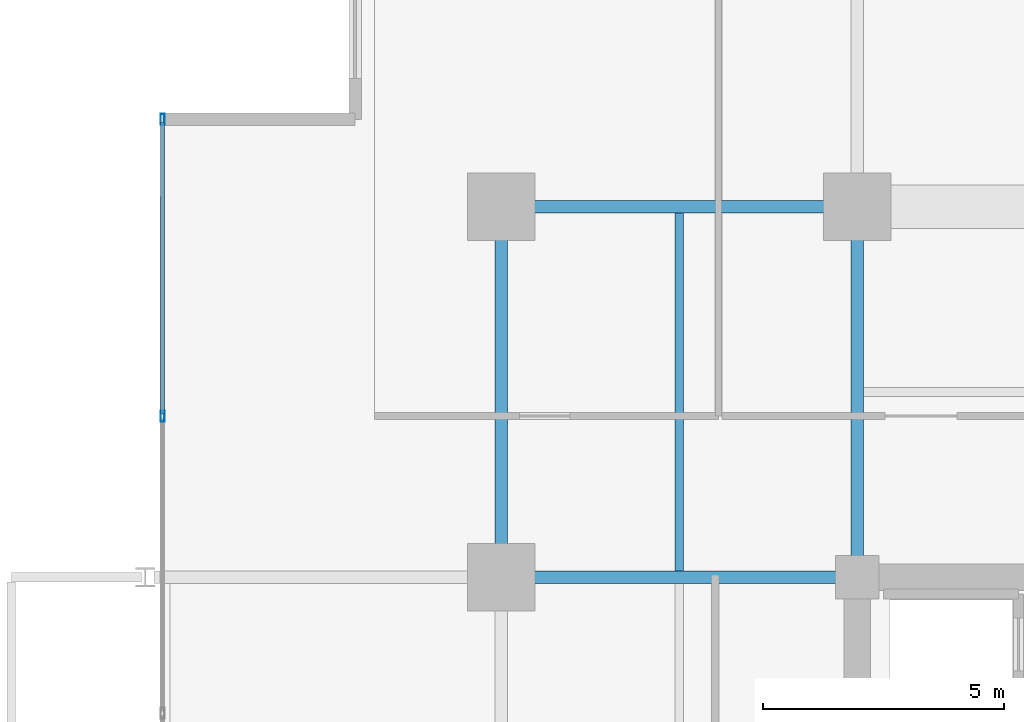
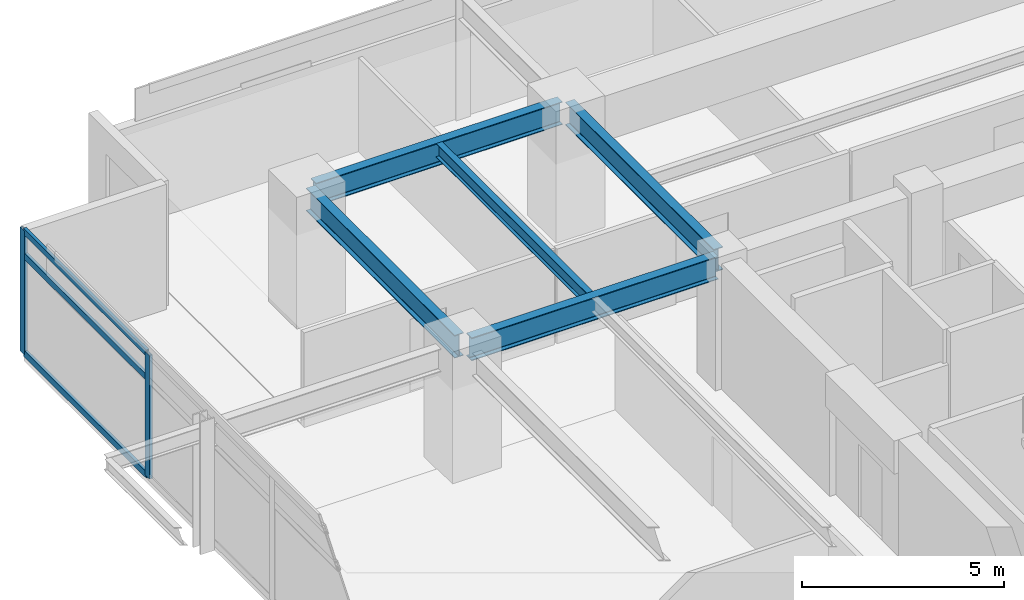
# One storey, part 12 of 21: 5 beams, 5 members, 1 element without a shape of its own.
"""IFC4 building model written with IfcOpenShell, lengths in metres."""

import ifcopenshell
import ifcopenshell.guid

model = None  # the IFC model being written
_history = None  # IfcOwnerHistory: only IFC2X3 demands one
_inside = {}  # id of a spatial element -> (the spatial element, [elements in it])
_under = {}  # id of a project, library or spatial element -> (it, [spatial elements below it])
_declared = {}  # id of a project -> (the project, [libraries it declares])
_typed = {}  # id of a type object -> (the type object, [elements of that type])
_made_of = {}  # id of a material, layer set ... -> (it, [elements and type objects made of it])


def new_model(schema):
    """Start an empty IFC model of exactly this schema.

    Asked for "IFC4X3", IfcOpenShell would pick the latest addendum, in which some entities
    have other attributes; the version numbers below select the first issue.
    IFC2X3 requires an IfcOwnerHistory on every rooted entity: one is made here for all.
    """
    global model, _history
    if schema == "IFC4X3":
        model = ifcopenshell.file(schema_version=(4, 3, 0, 0))
    else:
        model = ifcopenshell.file(schema=schema)
    _inside.clear()
    _under.clear()
    _declared.clear()
    _typed.clear()
    _made_of.clear()
    _history = None
    if model.schema == "IFC2X3":
        org = make("IfcOrganization", Name="unknown")
        user = make(
            "IfcPersonAndOrganization",
            ThePerson=make("IfcPerson", FamilyName="unknown"),
            TheOrganization=org,
        )
        app = make(
            "IfcApplication",
            ApplicationDeveloper=org,
            Version="unknown",
            ApplicationFullName="unknown",
            ApplicationIdentifier="unknown",
        )
        _history = make(
            "IfcOwnerHistory",
            OwningUser=user,
            OwningApplication=app,
            ChangeAction="ADDED",
            CreationDate=0,
        )
    return model


def make(cls, **values):
    """One entity of the class cls with the attributes given. An attribute that is None is left unset."""
    return model.create_entity(
        cls, **{name: value for name, value in values.items() if value is not None}
    )


def rooted(cls, **values):
    """An entity with a GlobalId (a new one), such as an element, a storey or a relation."""
    return make(cls, GlobalId=ifcopenshell.guid.new(), OwnerHistory=_history, **values)


def si_unit(unit_type, name, prefix=None):
    """IfcSIUnit, for example si_unit("LENGTHUNIT", "METRE", prefix="MILLI")."""
    return make("IfcSIUnit", UnitType=unit_type, Prefix=prefix, Name=name)


def assignment(units):
    """IfcUnitAssignment: the units of a project."""
    return None if units is None else make("IfcUnitAssignment", Units=units)


def point(xyz):
    """IfcCartesianPoint."""
    return None if xyz is None else make("IfcCartesianPoint", Coordinates=xyz)


def direction(xyz):
    """IfcDirection."""
    return None if xyz is None else make("IfcDirection", DirectionRatios=xyz)


def frame(location, z_axis=None, x_axis=None):
    """IfcAxis2Placement3D, a coordinate frame: its origin and axes. An axis left out is left unset."""
    return make(
        "IfcAxis2Placement3D",
        Location=point(location),
        Axis=direction(z_axis),
        RefDirection=direction(x_axis),
    )


def frame_2d(location, x_axis=None):
    """IfcAxis2Placement2D, a coordinate frame in the plane: its origin and x axis."""
    return make(
        "IfcAxis2Placement2D", Location=point(location), RefDirection=direction(x_axis)
    )


def origin():
    """The frame at (0, 0, 0) with its axes left unset."""
    return frame((0.0, 0.0, 0.0))


def origin_2d():
    """The frame at (0, 0) in the plane with its x axis left unset."""
    return frame_2d((0.0, 0.0))


def place(relative_to, where):
    """IfcLocalPlacement: puts the frame where relative to a parent placement (None: the world)."""
    return make(
        "IfcLocalPlacement", PlacementRelTo=relative_to, RelativePlacement=where
    )


def context(
    kind, dimensions, precision=None, world=None, true_north=None, identifier=None
):
    """IfcGeometricRepresentationContext, for example the 3D "Model" context."""
    return make(
        "IfcGeometricRepresentationContext",
        ContextIdentifier=identifier,
        ContextType=kind,
        CoordinateSpaceDimension=dimensions,
        Precision=precision,
        WorldCoordinateSystem=world,
        TrueNorth=true_north,
    )


def subcontext(parent, identifier, kind, view, scale=None):
    """IfcGeometricRepresentationSubContext, for example "Body" below "Model"."""
    return make(
        "IfcGeometricRepresentationSubContext",
        ContextIdentifier=identifier,
        ContextType=kind,
        ParentContext=parent,
        TargetScale=scale,
        TargetView=view,
    )


def project(units=None, contexts=None):
    """IfcProject with its units and contexts."""
    return rooted(
        "IfcProject",
        Name="project",
        RepresentationContexts=contexts,
        UnitsInContext=assignment(units),
    )


def spatial(cls, under=None, at=None, **own):
    """A site, building, storey or space (cls), placed at a placement, below another one or the project."""
    s = rooted(cls, ObjectPlacement=at, **own)
    if under is not None:
        _under.setdefault(under.id(), (under, []))[1].append(s)
    return s


def profile(cls, at=None, kind="AREA", **sizes):
    """A parametric profile (cls). Its sizes go by their IFC names, for example OverallWidth=200.0."""
    return make(cls, ProfileType=kind, Position=at, **sizes)


def hollow_rectangle(**sizes):
    """IfcRectangleHollowProfileDef."""
    return profile("IfcRectangleHollowProfileDef", **sizes)


def i_section(**sizes):
    """IfcIShapeProfileDef."""
    return profile("IfcIShapeProfileDef", **sizes)


def extrude(swept, where, along, depth):
    """IfcExtrudedAreaSolid: the profile swept, set in the frame where, extruded along a direction by depth."""
    return make(
        "IfcExtrudedAreaSolid",
        SweptArea=swept,
        Position=where,
        ExtrudedDirection=direction(along),
        Depth=depth,
    )


def shape(context_of_items, identifier, shape_type, items):
    """IfcShapeRepresentation: the items that make up one representation, for example the "Body"."""
    return make(
        "IfcShapeRepresentation",
        ContextOfItems=context_of_items,
        RepresentationIdentifier=identifier,
        RepresentationType=shape_type,
        Items=items,
    )


def material(Name=None, Category=None):
    """IfcMaterial."""
    return make("IfcMaterial", Name=Name, Category=Category)


def material_profile(
    of_material, cross_section, Name=None, Category=None, Priority=None
):
    """IfcMaterialProfile: a cross section and its material."""
    return make(
        "IfcMaterialProfile",
        Name=Name,
        Material=of_material,
        Profile=cross_section,
        Priority=Priority,
        Category=Category,
    )


def profile_set(profiles, Name=None, composite=None):
    """IfcMaterialProfileSet."""
    return make(
        "IfcMaterialProfileSet",
        Name=Name,
        MaterialProfiles=profiles,
        CompositeProfile=composite,
    )


def made_of(thing, what):
    """Note that an element or type object is made of a material, layer set ...; save() writes the relation."""
    if what is not None:
        _made_of.setdefault(what.id(), (what, []))[1].append(thing)
    return thing


def type_object(cls, material=None, **own):
    """A type object (cls), such as IfcWallType, which elements share."""
    return made_of(rooted(cls, **own), material)


def element(
    cls,
    number,
    at=None,
    inside=None,
    cuts=None,
    type_object=None,
    material=None,
    context=None,
    identifier="Body",
    shape_type=None,
    held_by="IfcProductDefinitionShape",
    body=None,
    shapes=None,
    **own,
):
    """One element of the class cls, such as IfcWall. Its Tag is "e" and its number.

    at: its placement. inside: the storey or other place that contains it. cuts: it is an
    opening in that element (IfcRelVoidsElement). A single representation is given by context,
    identifier, shape_type and body (its items); several are given by shapes. held_by: the class
    of the entity that holds the representations. save() writes the other relations.
    """
    e = rooted(cls, Tag="e%d" % number, ObjectPlacement=at, **own)
    if body is not None:
        shapes = [shape(context, identifier, shape_type, body)]
    if shapes is not None:
        e.Representation = make(held_by, Representations=shapes)
    if inside is not None:
        _inside.setdefault(inside.id(), (inside, []))[1].append(e)
    if cuts is not None:
        rooted(
            "IfcRelVoidsElement", RelatingBuildingElement=cuts, RelatedOpeningElement=e
        )
    if type_object is not None:
        _typed.setdefault(type_object.id(), (type_object, []))[1].append(e)
    return made_of(e, material)


def aggregate(whole, parts):
    """IfcRelAggregates: a whole, such as a stair, and the parts it consists of."""
    return rooted("IfcRelAggregates", RelatingObject=whole, RelatedObjects=parts)


def save(model, path):
    """Write the relations noted so far, then the file.

    IfcRelAggregates (storeys below a building ...), IfcRelContainedInSpatialStructure (elements
    in a storey), IfcRelDefinesByType, IfcRelAssociatesMaterial and IfcRelDeclares: one each for
    every whole, place, type object, material and project.
    """
    for whole, parts in _under.values():
        aggregate(whole, parts)
    for where, things in _inside.values():
        rooted(
            "IfcRelContainedInSpatialStructure",
            RelatedElements=things,
            RelatingStructure=where,
        )
    for kind, things in _typed.values():
        rooted("IfcRelDefinesByType", RelatedObjects=things, RelatingType=kind)
    for what, things in _made_of.values():
        rooted("IfcRelAssociatesMaterial", RelatedObjects=things, RelatingMaterial=what)
    for by, libraries in _declared.values():
        rooted("IfcRelDeclares", RelatingContext=by, RelatedDefinitions=libraries)
    model.write(path)


model = new_model("IFC4")

# Units and contexts
model_context = context("Model", 3, precision=1e-05, world=origin(), true_north=direction((0.0, 1.0)))
body_context = subcontext(model_context, "Body", "Model", "MODEL_VIEW")
ifc_project = project(units=[si_unit("LENGTHUNIT", "METRE"), si_unit("AREAUNIT", "SQUARE_METRE"), si_unit("VOLUMEUNIT", "CUBIC_METRE"), si_unit("PLANEANGLEUNIT", "RADIAN"), si_unit("MASSUNIT", "GRAM", prefix="KILO")], contexts=[model_context])

# Site, building, storey
site_placement = place(None, origin())
site = spatial("IfcSite", under=ifc_project, at=site_placement, CompositionType="ELEMENT")
building_placement = place(site_placement, origin())
building = spatial("IfcBuilding", under=site, at=building_placement, Name="Kovane Verandah Tower", CompositionType="ELEMENT")
storey_placement = place(building_placement, frame((0.0, 0.0, 217.199951171875)))
storey = spatial("IfcBuildingStorey", under=building, at=storey_placement, Name="L50", CompositionType="ELEMENT", Elevation=217.199951171875)

# Beams
ifc_material_1 = material(Name="Steel S355", Category="steel")
ifc_material_profile_1 = material_profile(ifc_material_1, i_section(OverallWidth=0.255859375, OverallDepth=0.69287109375, WebThickness=0.014404296875, FlangeThickness=0.023681640625, FilletRadius=0.01513671875, at=origin_2d()), Name="UB686x254x170")
ifc_profile_set_1 = profile_set([ifc_material_profile_1], Name="Steel S355")
beam_type_1 = type_object("IfcBeamType", Name="BM-UB686x170", PredefinedType="BEAM", material=ifc_profile_set_1)
beam_1_placement = place(storey_placement, frame((21.780029296875, 44.199951171875, 3.428466796875), z_axis=(1.0, 0.0, 0.0), x_axis=(0.0, 1.0, 0.0)))
element("IfcBeam", 1, at=beam_1_placement, inside=storey, type_object=beam_type_1, Name="L50 Primary Tower Girder G-RN1", PredefinedType="BEAM", context=body_context, shape_type="SweptSolid", body=[
    extrude(i_section(OverallWidth=0.255859375, OverallDepth=0.69287109375, WebThickness=0.014404296875, FlangeThickness=0.023681640625, FilletRadius=0.01513671875, at=origin_2d()), origin(), (0.0, 0.0, 1.0), 7.0400390625),
])
beam_2_placement = place(storey_placement, frame((21.60009765625, 36.679931640625, 3.428466796875), z_axis=(0.0, 1.0, 0.0), x_axis=(-1.0, 0.0, 0.0)))
element("IfcBeam", 2, at=beam_2_placement, inside=storey, type_object=beam_type_1, Name="L50 Primary Tower Girder G-RW3", PredefinedType="BEAM", context=body_context, shape_type="SweptSolid", body=[
    extrude(i_section(OverallWidth=0.255859375, OverallDepth=0.69287109375, WebThickness=0.014404296875, FlangeThickness=0.023681640625, FilletRadius=0.01513671875, at=origin_2d()), origin(), (0.0, 0.0, 1.0), 7.340087890625),
])
beam_3_placement = place(storey_placement, frame((28.820068359375, 36.5, 3.428466796875), z_axis=(-1.0, 0.0, 0.0), x_axis=(0.0, -1.0, 0.0)))
element("IfcBeam", 3, at=beam_3_placement, inside=storey, type_object=beam_type_1, Name="L50 Primary Tower Girder G-W2", PredefinedType="BEAM", context=body_context, shape_type="SweptSolid", body=[
    extrude(i_section(OverallWidth=0.255859375, OverallDepth=0.69287109375, WebThickness=0.014404296875, FlangeThickness=0.023681640625, FilletRadius=0.01513671875, at=origin_2d()), origin(), (0.0, 0.0, 1.0), 7.0400390625),
])
beam_4_placement = place(storey_placement, frame((29.0, 36.679931640625, 3.428466796875), z_axis=(0.0, 1.0, 0.0), x_axis=(-1.0, 0.0, 0.0)))
element("IfcBeam", 4, at=beam_4_placement, inside=storey, type_object=beam_type_1, Name="L50 Primary Tower Girder G-N1", PredefinedType="BEAM", context=body_context, shape_type="SweptSolid", body=[
    extrude(i_section(OverallWidth=0.255859375, OverallDepth=0.69287109375, WebThickness=0.014404296875, FlangeThickness=0.023681640625, FilletRadius=0.01513671875, at=origin_2d()), origin(), (0.0, 0.0, 1.0), 7.340087890625),
])

# Curtain wall, members
ifc_material_2 = material(Name="Champagne Anodised Aluminium Frame with Low-E Clear Laminated Glass", Category="aluminium")
curtain_wall_type = type_object("IfcCurtainWallType", Name="CW-SYS-03-MID", PredefinedType="NOTDEFINED", material=ifc_material_2)
curtain_wall_placement = place(storey_placement, origin())
curtain_wall = element("IfcCurtainWall", 5, at=curtain_wall_placement, inside=storey, type_object=curtain_wall_type, Name="L50 W Unitised Curtain Wall", PredefinedType="NOTDEFINED")
ifc_material_3 = material(Name="Champagne Anodised Aluminium 6063-T6", Category="aluminium")
ifc_material_profile_2 = material_profile(ifc_material_3, hollow_rectangle(XDim=0.0849609375, YDim=0.22998046875, WallThickness=0.00390625, at=origin_2d()), Name="AL85x230x4")
ifc_profile_set_2 = profile_set([ifc_material_profile_2], Name="Champagne Anodised Aluminium 6063-T6")
member_type_1 = type_object("IfcMemberType", Name="CW-MUL-85x230", PredefinedType="MULLION", material=ifc_profile_set_2)
member_1_placement = place(storey_placement, frame((14.5625, 46.014404296875, 0.02001953125), z_axis=(0.0, 0.0, 1.0), x_axis=(-1.0, 0.0, 0.0)))
member_1 = element("IfcMember", 6, at=member_1_placement, type_object=member_type_1, Name="L50 W Unitised Curtain Wall Mullion 1", PredefinedType="MULLION", context=body_context, shape_type="SweptSolid", body=[
    extrude(hollow_rectangle(XDim=0.0849609375, YDim=0.22998046875, WallThickness=0.00390625, at=origin_2d()), origin(), (0.0, 0.0, 1.0), 3.735107421875),
])
member_2_placement = place(storey_placement, frame((14.5625, 39.843017578125, 0.02001953125), z_axis=(0.0, 0.0, 1.0), x_axis=(-1.0, 0.0, 0.0)))
member_2 = element("IfcMember", 7, at=member_2_placement, type_object=member_type_1, Name="L50 W Unitised Curtain Wall Mullion 2", PredefinedType="MULLION", context=body_context, shape_type="SweptSolid", body=[
    extrude(hollow_rectangle(XDim=0.0849609375, YDim=0.22998046875, WallThickness=0.00390625, at=origin_2d()), origin(), (0.0, 0.0, 1.0), 3.735107421875),
])
ifc_material_profile_3 = material_profile(ifc_material_3, hollow_rectangle(XDim=0.0849609375, YDim=0.18994140625, WallThickness=0.00390625, at=origin_2d()), Name="AL85x190x4")
ifc_profile_set_3 = profile_set([ifc_material_profile_3], Name="Champagne Anodised Aluminium 6063-T6")
member_type_2 = type_object("IfcMemberType", Name="CW-TRN-85x190", PredefinedType="USERDEFINED", material=ifc_profile_set_3)
member_3_placement = place(storey_placement, frame((14.5625, 45.96435546875, 0.050048828125), z_axis=(0.0, -1.0, 0.0), x_axis=(1.0, 0.0, 0.0)))
member_3 = element("IfcMember", 8, at=member_3_placement, type_object=member_type_2, Name="L50 W Unitised Curtain Wall Transom TB Bay 1", ObjectType="TRANSOM", PredefinedType="USERDEFINED", context=body_context, shape_type="SweptSolid", body=[
    extrude(hollow_rectangle(XDim=0.0849609375, YDim=0.18994140625, WallThickness=0.00390625, at=origin_2d()), origin(), (0.0, 0.0, 1.0), 6.071533203125),
])
member_4_placement = place(storey_placement, frame((14.5625, 45.96435546875, 2.9951171875), z_axis=(0.0, -1.0, 0.0), x_axis=(1.0, 0.0, 0.0)))
member_4 = element("IfcMember", 9, at=member_4_placement, type_object=member_type_2, Name="L50 W Unitised Curtain Wall Transom TM Bay 1", ObjectType="TRANSOM", PredefinedType="USERDEFINED", context=body_context, shape_type="SweptSolid", body=[
    extrude(hollow_rectangle(XDim=0.0849609375, YDim=0.18994140625, WallThickness=0.00390625, at=origin_2d()), origin(), (0.0, 0.0, 1.0), 6.071533203125),
])
member_5_placement = place(storey_placement, frame((14.5625, 45.96435546875, 3.72509765625), z_axis=(0.0, -1.0, 0.0), x_axis=(1.0, 0.0, 0.0)))
member_5 = element("IfcMember", 10, at=member_5_placement, type_object=member_type_2, Name="L50 W Unitised Curtain Wall Transom TT Bay 1", ObjectType="TRANSOM", PredefinedType="USERDEFINED", context=body_context, shape_type="SweptSolid", body=[
    extrude(hollow_rectangle(XDim=0.0849609375, YDim=0.18994140625, WallThickness=0.00390625, at=origin_2d()), origin(), (0.0, 0.0, 1.0), 6.071533203125),
])
aggregate(curtain_wall, [member_1, member_2, member_3, member_4, member_5])

# Beam
ifc_material_profile_4 = material_profile(ifc_material_1, i_section(OverallWidth=0.179443359375, OverallDepth=0.412841796875, WebThickness=0.009521484375, FlangeThickness=0.01611328125, FilletRadius=0.01025390625, at=origin_2d()), Name="UB406x178x74")
ifc_profile_set_4 = profile_set([ifc_material_profile_4], Name="Steel S355")
beam_type_2 = type_object("IfcBeamType", Name="JST-UB406x74", PredefinedType="JOIST", material=ifc_profile_set_4)
beam_5_placement = place(storey_placement, frame((25.300048828125, 36.6259765625, 3.568603515625), z_axis=(0.0, 1.0, 0.0), x_axis=(-1.0, 0.0, 0.0)))
element("IfcBeam", 11, at=beam_5_placement, inside=storey, type_object=beam_type_2, Name="L50 Secondary Composite Joist J-NW1", PredefinedType="JOIST", context=body_context, shape_type="SweptSolid", body=[
    extrude(i_section(OverallWidth=0.179443359375, OverallDepth=0.412841796875, WebThickness=0.009521484375, FlangeThickness=0.01611328125, FilletRadius=0.01025390625, at=origin_2d()), origin(), (0.0, 0.0, 1.0), 7.4482421875),
])

save(model, "model.ifc")
